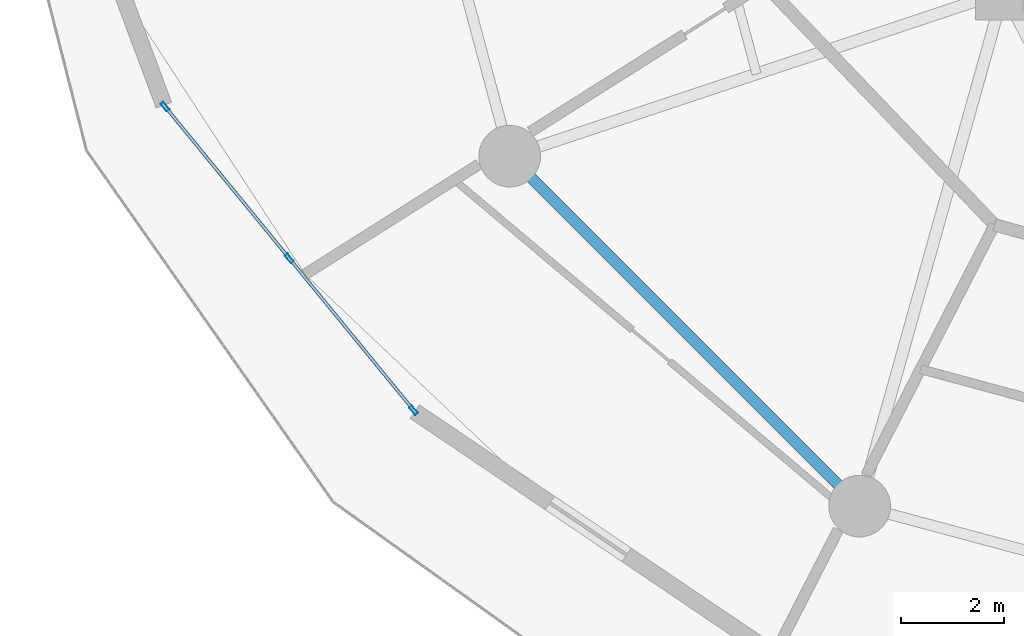
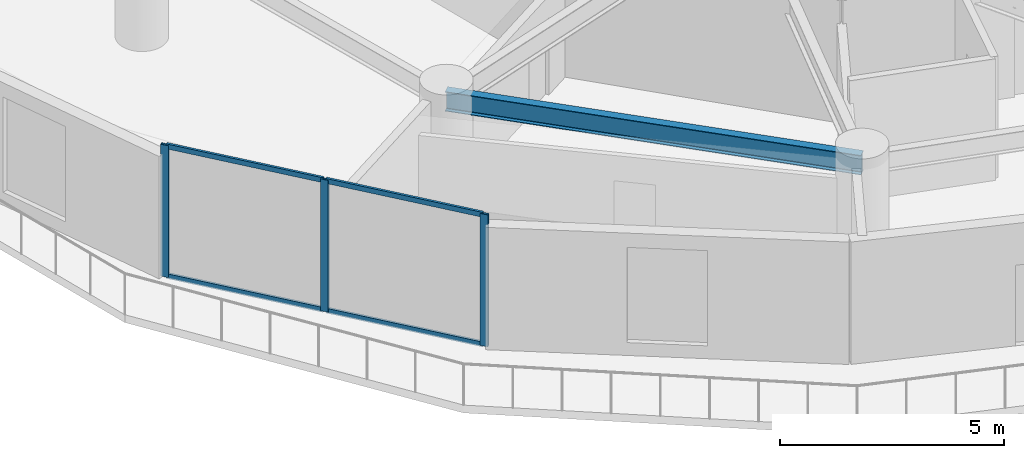
# One storey, part 2 of 20: 7 members, 1 beam, 1 element without a shape of its own.
"""IFC4 building model written with IfcOpenShell, lengths in metres."""

from ifc_helpers import new_model, si_unit, direction, frame, origin, origin_2d, place, context, subcontext, project, spatial, hollow_rectangle, i_section, extrude, source, transform, mapped, material, layer, layer_set, material_profile, profile_set, type_object, element, aggregate, save


model = new_model("IFC4")

# Units and contexts
model_context = context("Model", 3, precision=1e-05, world=origin(), true_north=direction((0.0, 1.0)))
body_context = subcontext(model_context, "Body", "Model", "MODEL_VIEW")
ifc_project = project(units=[si_unit("LENGTHUNIT", "METRE"), si_unit("AREAUNIT", "SQUARE_METRE"), si_unit("VOLUMEUNIT", "CUBIC_METRE"), si_unit("PLANEANGLEUNIT", "RADIAN"), si_unit("MASSUNIT", "GRAM", prefix="KILO")], contexts=[model_context])

# Site, building, storey
site_placement = place(None, origin())
site = spatial("IfcSite", under=ifc_project, at=site_placement, CompositionType="ELEMENT")
building_placement = place(site_placement, origin())
building = spatial("IfcBuilding", under=site, at=building_placement, Name="Solvirekh Grand Hotel", CompositionType="ELEMENT")
storey_placement = place(building_placement, frame((0.0, 0.0, 50.0)))
storey = spatial("IfcBuildingStorey", under=building, at=storey_placement, Name="L11", CompositionType="ELEMENT", Elevation=50.0)

# Beam
ifc_material_1 = material(Name="Steel S355", Category="steel")
ifc_material_profile_1 = material_profile(ifc_material_1, i_section(OverallWidth=0.208984375, OverallDepth=0.532958984375, WebThickness=0.010009765625, FlangeThickness=0.014892578125, FilletRadius=0.013916015625, at=origin_2d()), Name="W530X92")
ifc_profile_set_1 = profile_set([ifc_material_profile_1], Name="Steel S355")
beam_type = type_object("IfcBeamType", Name="Spandrel_Ring_W530", PredefinedType="SPANDREL", material=ifc_profile_set_1)
beam_placement = place(storey_placement, frame((-16.10791015625, -9.300048828125, 3.073974609375), z_axis=(0.707106781187, -0.707106781187, 0.0), x_axis=(0.707106781187, 0.707106781187, 0.0)))
element("IfcBeam", 1, at=beam_placement, inside=storey, type_object=beam_type, Name="L11 perimeter spandrel beam 8", PredefinedType="SPANDREL", context=body_context, shape_type="SweptSolid", body=[
    extrude(i_section(OverallWidth=0.208984375, OverallDepth=0.532958984375, WebThickness=0.010009765625, FlangeThickness=0.014892578125, FilletRadius=0.013916015625, at=origin_2d()), origin(), (0.0, 0.0, 1.0), 9.627685546875),
])

# Curtain wall, members
ifc_material_2 = material(Name="Anodized Bronze Aluminium 6063-T6", Category="aluminium")
ifc_layer = layer(ifc_material_2, 0.18994140625)
ifc_layer_set = layer_set([ifc_layer], Name="Anodized Bronze Aluminium 6063-T6")
curtain_wall_type = type_object("IfcCurtainWallType", Name="CW_Sys2_LowZoneFlushBronzeCW", PredefinedType="NOTDEFINED", material=ifc_layer_set)
curtain_wall_placement = place(storey_placement, origin())
curtain_wall = element("IfcCurtainWall", 2, at=curtain_wall_placement, inside=storey, type_object=curtain_wall_type, Name="L11 unitised bronze-glass curtain wall CW-L11-C13", PredefinedType="NOTDEFINED")
ifc_material_profile_2 = material_profile(ifc_material_2, hollow_rectangle(XDim=0.070068359375, YDim=0.18994140625, WallThickness=0.0048828125, at=origin_2d()), Name="ALU RHS 190X70X5")
ifc_profile_set_2 = profile_set([ifc_material_profile_2], Name="Anodized Bronze Aluminium 6063-T6")
member_type_1 = type_object("IfcMemberType", Name="CWMullion_Sys2", PredefinedType="MULLION", material=ifc_profile_set_2)
shared_shape_1 = source(origin(), body_context, "Body", "SweptSolid", [
    extrude(hollow_rectangle(XDim=0.070068359375, YDim=0.18994140625, WallThickness=0.0048828125, at=origin_2d()), origin(), (0.0, 0.0, 1.0), 3.60009765625),
])
member_1_placement = place(storey_placement, frame((-22.813720703125, -8.3349609375, 0.0), z_axis=(0.0, 0.0, 1.0), x_axis=(0.773766444453, 0.633470985475, 0.0)))
member_1 = element("IfcMember", 3, at=member_1_placement, type_object=member_type_1, Name="U02 mullion 1", PredefinedType="MULLION", context=body_context, shape_type="MappedRepresentation", body=[
    mapped(shared_shape_1, transform((0.0, 0.0, 0.0), x_axis=(1.0, 0.0, 0.0), y_axis=(0.0, 1.0, 0.0), z_axis=(0.0, 0.0, 1.0), scale=1.0)),
])
member_2_placement = place(storey_placement, frame((-20.3955078125, -11.2890625, 0.0), z_axis=(0.0, 0.0, 1.0), x_axis=(0.773766444453, 0.633470985475, 0.0)))
member_2 = element("IfcMember", 4, at=member_2_placement, type_object=member_type_1, Name="U02 mullion 2", PredefinedType="MULLION", context=body_context, shape_type="MappedRepresentation", body=[
    mapped(shared_shape_1, transform((0.0, 0.0, 0.0), x_axis=(1.0, 0.0, 0.0), y_axis=(0.0, 1.0, 0.0), z_axis=(0.0, 0.0, 1.0), scale=1.0)),
])
member_3_placement = place(storey_placement, frame((-17.97705078125, -14.242919921875, 0.0), z_axis=(0.0, 0.0, 1.0), x_axis=(0.773766444453, 0.633470985475, 0.0)))
member_3 = element("IfcMember", 5, at=member_3_placement, type_object=member_type_1, Name="U02 mullion 3", PredefinedType="MULLION", context=body_context, shape_type="MappedRepresentation", body=[
    mapped(shared_shape_1, transform((0.0, 0.0, 0.0), x_axis=(1.0, 0.0, 0.0), y_axis=(0.0, 1.0, 0.0), z_axis=(0.0, 0.0, 1.0), scale=1.0)),
])
ifc_material_profile_3 = material_profile(ifc_material_2, hollow_rectangle(XDim=0.06005859375, YDim=0.135009765625, WallThickness=0.00390625, at=origin_2d()), Name="ALU RHS 135X60X4")
ifc_profile_set_3 = profile_set([ifc_material_profile_3], Name="Anodized Bronze Aluminium 6063-T6")
member_type_2 = type_object("IfcMemberType", Name="CWTransom_Sys2", PredefinedType="USERDEFINED", material=ifc_profile_set_3)
shared_shape_2 = source(origin(), body_context, "Body", "SweptSolid", [
    extrude(hollow_rectangle(XDim=0.06005859375, YDim=0.135009765625, WallThickness=0.00390625, at=origin_2d()), origin(), (0.0, 0.0, 1.0), 3.74755859375),
])
member_4_placement = place(storey_placement, frame((-20.373291015625, -11.316162109375, 0.030029296875), z_axis=(0.633489637039, -0.773751174322, 0.0), x_axis=(0.773751174322, 0.633489637039, 0.0)))
member_4 = element("IfcMember", 6, at=member_4_placement, type_object=member_type_2, Name="U02 transom 2.1", ObjectType="TRANSOM", PredefinedType="USERDEFINED", context=body_context, shape_type="MappedRepresentation", body=[
    mapped(shared_shape_2, transform((0.0, 0.0, 0.0), x_axis=(1.0, 0.0, 0.0), y_axis=(0.0, 1.0, 0.0), z_axis=(0.0, 0.0, 1.0), scale=1.0)),
])
member_5_placement = place(storey_placement, frame((-20.373291015625, -11.316162109375, 3.570068359375), z_axis=(0.633489637039, -0.773751174322, 0.0), x_axis=(0.773751174322, 0.633489637039, 0.0)))
member_5 = element("IfcMember", 7, at=member_5_placement, type_object=member_type_2, Name="U02 transom 2.2", ObjectType="TRANSOM", PredefinedType="USERDEFINED", context=body_context, shape_type="MappedRepresentation", body=[
    mapped(shared_shape_2, transform((0.0, 0.0, 0.0), x_axis=(1.0, 0.0, 0.0), y_axis=(0.0, 1.0, 0.0), z_axis=(0.0, 0.0, 1.0), scale=1.0)),
])
shared_shape_3 = source(origin(), body_context, "Body", "SweptSolid", [
    extrude(hollow_rectangle(XDim=0.06005859375, YDim=0.135009765625, WallThickness=0.00390625, at=origin_2d()), origin(), (0.0, 0.0, 1.0), 3.747802734375),
])
member_6_placement = place(storey_placement, frame((-22.791748046875, -8.362060546875, 0.030029296875), z_axis=(0.633457705426, -0.773777316439, 0.0), x_axis=(0.773777316439, 0.633457705426, 0.0)))
member_6 = element("IfcMember", 8, at=member_6_placement, type_object=member_type_2, Name="U02 transom 1.1", ObjectType="TRANSOM", PredefinedType="USERDEFINED", context=body_context, shape_type="MappedRepresentation", body=[
    mapped(shared_shape_3, transform((0.0, 0.0, 0.0), x_axis=(1.0, 0.0, 0.0), y_axis=(0.0, 1.0, 0.0), z_axis=(0.0, 0.0, 1.0), scale=1.0)),
])
member_7_placement = place(storey_placement, frame((-22.791748046875, -8.362060546875, 3.570068359375), z_axis=(0.633457705426, -0.773777316439, 0.0), x_axis=(0.773777316439, 0.633457705426, 0.0)))
member_7 = element("IfcMember", 9, at=member_7_placement, type_object=member_type_2, Name="U02 transom 1.2", ObjectType="TRANSOM", PredefinedType="USERDEFINED", context=body_context, shape_type="MappedRepresentation", body=[
    mapped(shared_shape_3, transform((0.0, 0.0, 0.0), x_axis=(1.0, 0.0, 0.0), y_axis=(0.0, 1.0, 0.0), z_axis=(0.0, 0.0, 1.0), scale=1.0)),
])
aggregate(curtain_wall, [member_1, member_2, member_3, member_6, member_7, member_4, member_5])

save(model, "model.ifc")
